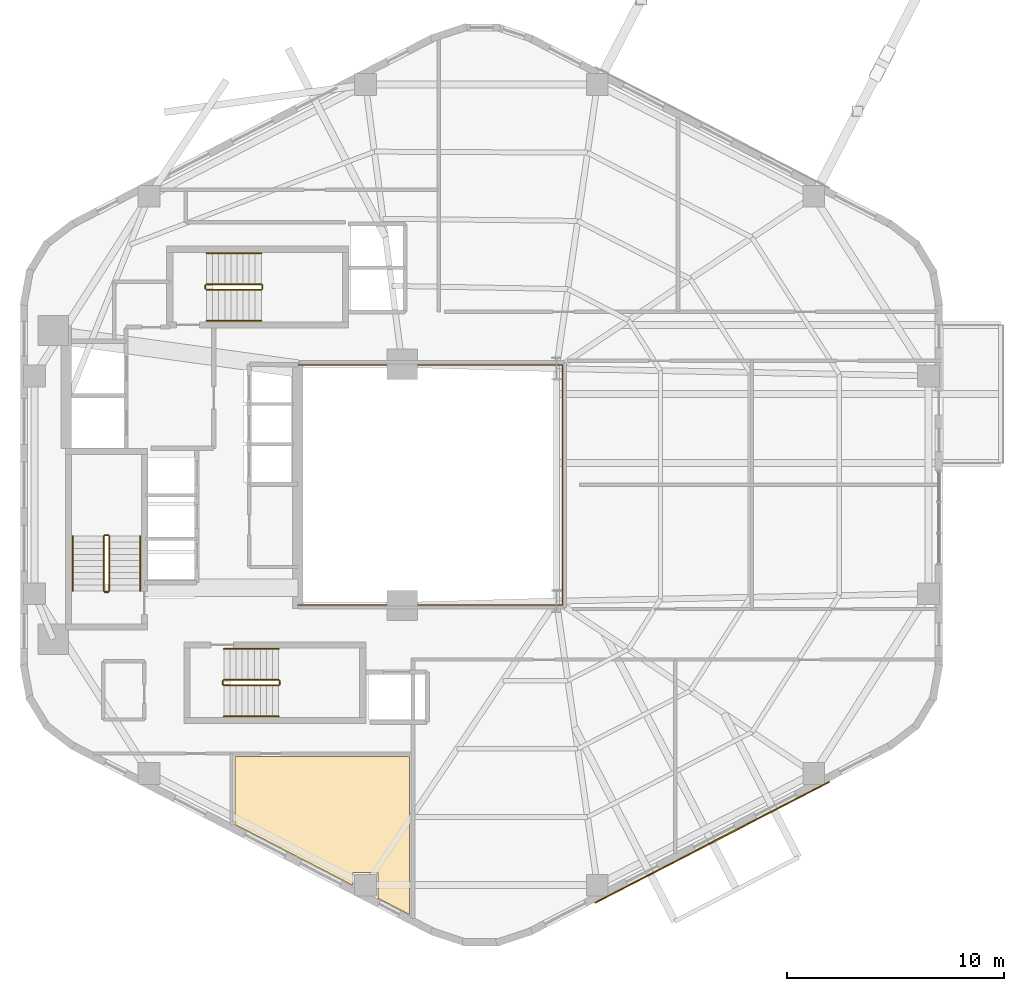
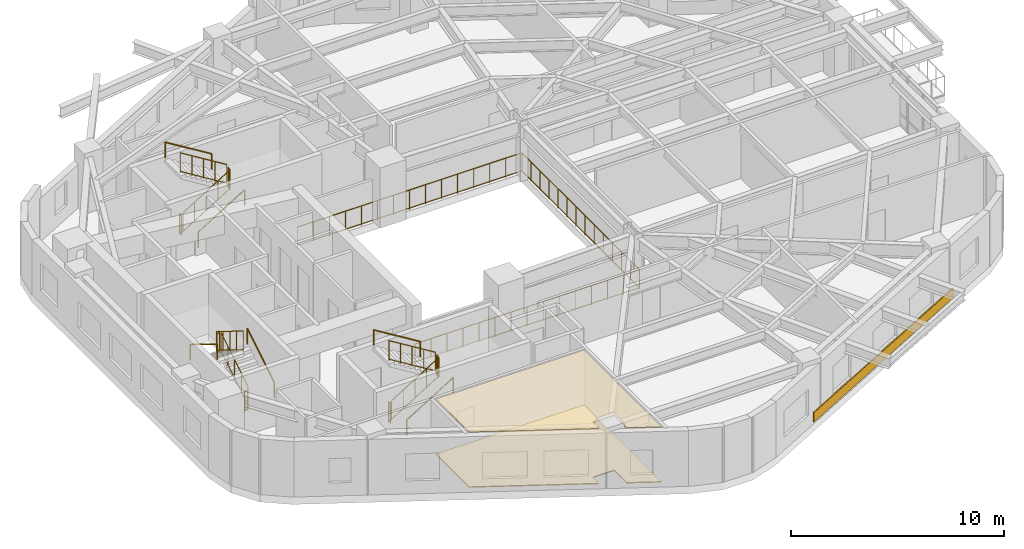
# One storey, part 8 of 9: 19 railings, 3 coverings.
"""IFC4 building model written with IfcOpenShell, lengths in metres."""

import ifcopenshell
import ifcopenshell.guid

model = None  # the IFC model being written
_history = None  # IfcOwnerHistory: only IFC2X3 demands one
_inside = {}  # id of a spatial element -> (the spatial element, [elements in it])
_under = {}  # id of a project, library or spatial element -> (it, [spatial elements below it])
_declared = {}  # id of a project -> (the project, [libraries it declares])
_typed = {}  # id of a type object -> (the type object, [elements of that type])
_made_of = {}  # id of a material, layer set ... -> (it, [elements and type objects made of it])


def new_model(schema):
    """Start an empty IFC model of exactly this schema.

    Asked for "IFC4X3", IfcOpenShell would pick the latest addendum, in which some entities
    have other attributes; the version numbers below select the first issue.
    IFC2X3 requires an IfcOwnerHistory on every rooted entity: one is made here for all.
    """
    global model, _history
    if schema == "IFC4X3":
        model = ifcopenshell.file(schema_version=(4, 3, 0, 0))
    else:
        model = ifcopenshell.file(schema=schema)
    _inside.clear()
    _under.clear()
    _declared.clear()
    _typed.clear()
    _made_of.clear()
    _history = None
    if model.schema == "IFC2X3":
        org = make("IfcOrganization", Name="unknown")
        user = make(
            "IfcPersonAndOrganization",
            ThePerson=make("IfcPerson", FamilyName="unknown"),
            TheOrganization=org,
        )
        app = make(
            "IfcApplication",
            ApplicationDeveloper=org,
            Version="unknown",
            ApplicationFullName="unknown",
            ApplicationIdentifier="unknown",
        )
        _history = make(
            "IfcOwnerHistory",
            OwningUser=user,
            OwningApplication=app,
            ChangeAction="ADDED",
            CreationDate=0,
        )
    return model


def make(cls, **values):
    """One entity of the class cls with the attributes given. An attribute that is None is left unset."""
    return model.create_entity(
        cls, **{name: value for name, value in values.items() if value is not None}
    )


def rooted(cls, **values):
    """An entity with a GlobalId (a new one), such as an element, a storey or a relation."""
    return make(cls, GlobalId=ifcopenshell.guid.new(), OwnerHistory=_history, **values)


def si_unit(unit_type, name, prefix=None):
    """IfcSIUnit, for example si_unit("LENGTHUNIT", "METRE", prefix="MILLI")."""
    return make("IfcSIUnit", UnitType=unit_type, Prefix=prefix, Name=name)


def assignment(units):
    """IfcUnitAssignment: the units of a project."""
    return None if units is None else make("IfcUnitAssignment", Units=units)


def point(xyz):
    """IfcCartesianPoint."""
    return None if xyz is None else make("IfcCartesianPoint", Coordinates=xyz)


def direction(xyz):
    """IfcDirection."""
    return None if xyz is None else make("IfcDirection", DirectionRatios=xyz)


def frame(location, z_axis=None, x_axis=None):
    """IfcAxis2Placement3D, a coordinate frame: its origin and axes. An axis left out is left unset."""
    return make(
        "IfcAxis2Placement3D",
        Location=point(location),
        Axis=direction(z_axis),
        RefDirection=direction(x_axis),
    )


def frame_2d(location, x_axis=None):
    """IfcAxis2Placement2D, a coordinate frame in the plane: its origin and x axis."""
    return make(
        "IfcAxis2Placement2D", Location=point(location), RefDirection=direction(x_axis)
    )


def origin():
    """The frame at (0, 0, 0) with its axes left unset."""
    return frame((0.0, 0.0, 0.0))


def origin_2d():
    """The frame at (0, 0) in the plane with its x axis left unset."""
    return frame_2d((0.0, 0.0))


def place(relative_to, where):
    """IfcLocalPlacement: puts the frame where relative to a parent placement (None: the world)."""
    return make(
        "IfcLocalPlacement", PlacementRelTo=relative_to, RelativePlacement=where
    )


def context(
    kind, dimensions, precision=None, world=None, true_north=None, identifier=None
):
    """IfcGeometricRepresentationContext, for example the 3D "Model" context."""
    return make(
        "IfcGeometricRepresentationContext",
        ContextIdentifier=identifier,
        ContextType=kind,
        CoordinateSpaceDimension=dimensions,
        Precision=precision,
        WorldCoordinateSystem=world,
        TrueNorth=true_north,
    )


def subcontext(parent, identifier, kind, view, scale=None):
    """IfcGeometricRepresentationSubContext, for example "Body" below "Model"."""
    return make(
        "IfcGeometricRepresentationSubContext",
        ContextIdentifier=identifier,
        ContextType=kind,
        ParentContext=parent,
        TargetScale=scale,
        TargetView=view,
    )


def project(units=None, contexts=None):
    """IfcProject with its units and contexts."""
    return rooted(
        "IfcProject",
        Name="project",
        RepresentationContexts=contexts,
        UnitsInContext=assignment(units),
    )


def spatial(cls, under=None, at=None, **own):
    """A site, building, storey or space (cls), placed at a placement, below another one or the project."""
    s = rooted(cls, ObjectPlacement=at, **own)
    if under is not None:
        _under.setdefault(under.id(), (under, []))[1].append(s)
    return s


def polyline(points):
    """IfcPolyline through the points."""
    return make("IfcPolyline", Points=[point(p) for p in points])


def profile(cls, at=None, kind="AREA", **sizes):
    """A parametric profile (cls). Its sizes go by their IFC names, for example OverallWidth=200.0."""
    return make(cls, ProfileType=kind, Position=at, **sizes)


def rectangle(**sizes):
    """IfcRectangleProfileDef."""
    return profile("IfcRectangleProfileDef", **sizes)


def circle(**sizes):
    """IfcCircleProfileDef."""
    return profile("IfcCircleProfileDef", **sizes)


def outline(outer, holes=None, kind="AREA"):
    """IfcArbitraryClosedProfileDef: a profile drawn as a closed curve; with holes, ...WithVoids."""
    if holes is None:
        return make("IfcArbitraryClosedProfileDef", ProfileType=kind, OuterCurve=outer)
    return make(
        "IfcArbitraryProfileDefWithVoids",
        ProfileType=kind,
        OuterCurve=outer,
        InnerCurves=holes,
    )


def extrude(swept, where, along, depth):
    """IfcExtrudedAreaSolid: the profile swept, set in the frame where, extruded along a direction by depth."""
    return make(
        "IfcExtrudedAreaSolid",
        SweptArea=swept,
        Position=where,
        ExtrudedDirection=direction(along),
        Depth=depth,
    )


def shape(context_of_items, identifier, shape_type, items):
    """IfcShapeRepresentation: the items that make up one representation, for example the "Body"."""
    return make(
        "IfcShapeRepresentation",
        ContextOfItems=context_of_items,
        RepresentationIdentifier=identifier,
        RepresentationType=shape_type,
        Items=items,
    )


def material(Name=None, Category=None):
    """IfcMaterial."""
    return make("IfcMaterial", Name=Name, Category=Category)


def layer(
    of_material, thickness, ventilated=None, Name=None, Category=None, Priority=None
):
    """IfcMaterialLayer: one layer of a wall or slab, of a material (None: an air gap)."""
    return make(
        "IfcMaterialLayer",
        Material=of_material,
        LayerThickness=thickness,
        IsVentilated=ventilated,
        Name=Name,
        Category=Category,
        Priority=Priority,
    )


def layer_set(layers, Name=None):
    """IfcMaterialLayerSet."""
    return make("IfcMaterialLayerSet", MaterialLayers=layers, LayerSetName=Name)


def made_of(thing, what):
    """Note that an element or type object is made of a material, layer set ...; save() writes the relation."""
    if what is not None:
        _made_of.setdefault(what.id(), (what, []))[1].append(thing)
    return thing


def type_object(cls, material=None, **own):
    """A type object (cls), such as IfcWallType, which elements share."""
    return made_of(rooted(cls, **own), material)


def element(
    cls,
    number,
    at=None,
    inside=None,
    cuts=None,
    type_object=None,
    material=None,
    context=None,
    identifier="Body",
    shape_type=None,
    held_by="IfcProductDefinitionShape",
    body=None,
    shapes=None,
    **own,
):
    """One element of the class cls, such as IfcWall. Its Tag is "e" and its number.

    at: its placement. inside: the storey or other place that contains it. cuts: it is an
    opening in that element (IfcRelVoidsElement). A single representation is given by context,
    identifier, shape_type and body (its items); several are given by shapes. held_by: the class
    of the entity that holds the representations. save() writes the other relations.
    """
    e = rooted(cls, Tag="e%d" % number, ObjectPlacement=at, **own)
    if body is not None:
        shapes = [shape(context, identifier, shape_type, body)]
    if shapes is not None:
        e.Representation = make(held_by, Representations=shapes)
    if inside is not None:
        _inside.setdefault(inside.id(), (inside, []))[1].append(e)
    if cuts is not None:
        rooted(
            "IfcRelVoidsElement", RelatingBuildingElement=cuts, RelatedOpeningElement=e
        )
    if type_object is not None:
        _typed.setdefault(type_object.id(), (type_object, []))[1].append(e)
    return made_of(e, material)


def aggregate(whole, parts):
    """IfcRelAggregates: a whole, such as a stair, and the parts it consists of."""
    return rooted("IfcRelAggregates", RelatingObject=whole, RelatedObjects=parts)


def save(model, path):
    """Write the relations noted so far, then the file.

    IfcRelAggregates (storeys below a building ...), IfcRelContainedInSpatialStructure (elements
    in a storey), IfcRelDefinesByType, IfcRelAssociatesMaterial and IfcRelDeclares: one each for
    every whole, place, type object, material and project.
    """
    for whole, parts in _under.values():
        aggregate(whole, parts)
    for where, things in _inside.values():
        rooted(
            "IfcRelContainedInSpatialStructure",
            RelatedElements=things,
            RelatingStructure=where,
        )
    for kind, things in _typed.values():
        rooted("IfcRelDefinesByType", RelatedObjects=things, RelatingType=kind)
    for what, things in _made_of.values():
        rooted("IfcRelAssociatesMaterial", RelatedObjects=things, RelatingMaterial=what)
    for by, libraries in _declared.values():
        rooted("IfcRelDeclares", RelatingContext=by, RelatedDefinitions=libraries)
    model.write(path)


model = new_model("IFC4")

# Units and contexts
model_context = context("Model", 3, precision=1e-05, world=origin(), true_north=direction((0.0, 1.0)))
body_context = subcontext(model_context, "Body", "Model", "MODEL_VIEW")
ifc_project = project(units=[si_unit("LENGTHUNIT", "METRE"), si_unit("AREAUNIT", "SQUARE_METRE"), si_unit("VOLUMEUNIT", "CUBIC_METRE"), si_unit("PLANEANGLEUNIT", "RADIAN"), si_unit("MASSUNIT", "GRAM", prefix="KILO"), si_unit("THERMODYNAMICTEMPERATUREUNIT", "KELVIN"), si_unit("POWERUNIT", "WATT")], contexts=[model_context])

# Site, building, storey
site_placement = place(None, origin())
site = spatial("IfcSite", under=ifc_project, at=site_placement, CompositionType="ELEMENT")
building_placement = place(site_placement, origin())
building = spatial("IfcBuilding", under=site, at=building_placement, Name="Skarre Station Tower", CompositionType="ELEMENT")
storey_placement = place(building_placement, frame((0.0, 0.0, 101.550048828125)))
storey = spatial("IfcBuildingStorey", under=building, at=storey_placement, Name="L26", CompositionType="ELEMENT", Elevation=101.550048828125)

# Railing
ifc_material_1 = material(Name="Bronze Anodized Steel & Laminated Glass Balustrade", Category="steel")
railing_type_1 = type_object("IfcRailingType", Name="Atrium Void & Mezzanine Guard Balustrade 1120", PredefinedType="GUARDRAIL", material=ifc_material_1)
railing_1_placement = place(storey_placement, frame((27.550048828125, 18.47998046875, 0.0)))
element("IfcRailing", 1, at=railing_1_placement, inside=storey, type_object=railing_type_1, Name="L26 Atrium Void Guard Balustrade", PredefinedType="GUARDRAIL", context=body_context, shape_type="SweptSolid", body=[
    extrude(circle(Radius=0.02392578125, at=origin_2d()), frame((0.0, 0.0, 1.09619140625), z_axis=(1.0, 0.0, 0.0), x_axis=(0.0, 1.0, 0.0)), (0.0, 0.0, 1.0), 12.169921875),
    extrude(circle(Radius=0.02099609375, at=origin_2d()), frame((0.0, 0.0, 0.06005859375), z_axis=(1.0, 0.0, 0.0), x_axis=(0.0, 1.0, 0.0)), (0.0, 0.0, 1.0), 12.169921875),
    extrude(circle(Radius=0.02392578125, at=origin_2d()), frame((12.169921875, 0.0, 1.09619140625), z_axis=(0.0, 1.0, 0.0), x_axis=(-1.0, 0.0, 0.0)), (0.0, 0.0, 1.0), 11.0400390625),
    extrude(circle(Radius=0.02099609375, at=origin_2d()), frame((12.169921875, 0.0, 0.06005859375), z_axis=(0.0, 1.0, 0.0), x_axis=(-1.0, 0.0, 0.0)), (0.0, 0.0, 1.0), 11.0400390625),
    extrude(circle(Radius=0.02392578125, at=origin_2d()), frame((12.169921875, 11.0400390625, 1.09619140625), z_axis=(-1.0, 0.0, 0.0), x_axis=(0.0, -1.0, 0.0)), (0.0, 0.0, 1.0), 12.169921875),
    extrude(circle(Radius=0.02099609375, at=origin_2d()), frame((12.169921875, 11.0400390625, 0.06005859375), z_axis=(-1.0, 0.0, 0.0), x_axis=(0.0, -1.0, 0.0)), (0.0, 0.0, 1.0), 12.169921875),
    extrude(circle(Radius=0.02099609375, at=origin_2d()), origin(), (0.0, 0.0, 1.0), 1.072021484375),
    extrude(circle(Radius=0.02099609375, at=origin_2d()), frame((0.869384765625, 0.0, 0.0)), (0.0, 0.0, 1.0), 1.072021484375),
    extrude(circle(Radius=0.02099609375, at=origin_2d()), frame((1.738525390625, 0.0, 0.0)), (0.0, 0.0, 1.0), 1.072021484375),
    extrude(circle(Radius=0.02099609375, at=origin_2d()), frame((2.60791015625, 0.0, 0.0)), (0.0, 0.0, 1.0), 1.072021484375),
    extrude(circle(Radius=0.02099609375, at=origin_2d()), frame((3.47705078125, 0.0, 0.0)), (0.0, 0.0, 1.0), 1.072021484375),
    extrude(circle(Radius=0.02099609375, at=origin_2d()), frame((4.346435546875, 0.0, 0.0)), (0.0, 0.0, 1.0), 1.072021484375),
    extrude(circle(Radius=0.02099609375, at=origin_2d()), frame((5.215576171875, 0.0, 0.0)), (0.0, 0.0, 1.0), 1.072021484375),
    extrude(circle(Radius=0.02099609375, at=origin_2d()), frame((6.0849609375, 0.0, 0.0)), (0.0, 0.0, 1.0), 1.072021484375),
    extrude(circle(Radius=0.02099609375, at=origin_2d()), frame((6.954345703125, 0.0, 0.0)), (0.0, 0.0, 1.0), 1.072021484375),
    extrude(circle(Radius=0.02099609375, at=origin_2d()), frame((7.823486328125, 0.0, 0.0)), (0.0, 0.0, 1.0), 1.072021484375),
    extrude(circle(Radius=0.02099609375, at=origin_2d()), frame((8.69287109375, 0.0, 0.0)), (0.0, 0.0, 1.0), 1.072021484375),
    extrude(circle(Radius=0.02099609375, at=origin_2d()), frame((9.56201171875, 0.0, 0.0)), (0.0, 0.0, 1.0), 1.072021484375),
    extrude(circle(Radius=0.02099609375, at=origin_2d()), frame((10.431396484375, 0.0, 0.0)), (0.0, 0.0, 1.0), 1.072021484375),
    extrude(circle(Radius=0.02099609375, at=origin_2d()), frame((11.300537109375, 0.0, 0.0)), (0.0, 0.0, 1.0), 1.072021484375),
    extrude(circle(Radius=0.02099609375, at=origin_2d()), frame((12.169921875, 0.0, 0.0)), (0.0, 0.0, 1.0), 1.072021484375),
    extrude(circle(Radius=0.02099609375, at=origin_2d()), frame((12.169921875, 0.84912109375, 0.0)), (0.0, 0.0, 1.0), 1.072021484375),
    extrude(circle(Radius=0.02099609375, at=origin_2d()), frame((12.169921875, 1.698486328125, 0.0)), (0.0, 0.0, 1.0), 1.072021484375),
    extrude(circle(Radius=0.02099609375, at=origin_2d()), frame((12.169921875, 2.547607421875, 0.0)), (0.0, 0.0, 1.0), 1.072021484375),
    extrude(circle(Radius=0.02099609375, at=origin_2d()), frame((12.169921875, 3.39697265625, 0.0)), (0.0, 0.0, 1.0), 1.072021484375),
    extrude(circle(Radius=0.02099609375, at=origin_2d()), frame((12.169921875, 4.24609375, 0.0)), (0.0, 0.0, 1.0), 1.072021484375),
    extrude(circle(Radius=0.02099609375, at=origin_2d()), frame((12.169921875, 5.095458984375, 0.0)), (0.0, 0.0, 1.0), 1.072021484375),
    extrude(circle(Radius=0.02099609375, at=origin_2d()), frame((12.169921875, 5.944580078125, 0.0)), (0.0, 0.0, 1.0), 1.072021484375),
    extrude(circle(Radius=0.02099609375, at=origin_2d()), frame((12.169921875, 6.7939453125, 0.0)), (0.0, 0.0, 1.0), 1.072021484375),
    extrude(circle(Radius=0.02099609375, at=origin_2d()), frame((12.169921875, 7.64306640625, 0.0)), (0.0, 0.0, 1.0), 1.072021484375),
    extrude(circle(Radius=0.02099609375, at=origin_2d()), frame((12.169921875, 8.492431640625, 0.0)), (0.0, 0.0, 1.0), 1.072021484375),
    extrude(circle(Radius=0.02099609375, at=origin_2d()), frame((12.169921875, 9.341552734375, 0.0)), (0.0, 0.0, 1.0), 1.072021484375),
    extrude(circle(Radius=0.02099609375, at=origin_2d()), frame((12.169921875, 10.19091796875, 0.0)), (0.0, 0.0, 1.0), 1.072021484375),
    extrude(circle(Radius=0.02099609375, at=origin_2d()), frame((12.169921875, 11.0400390625, 0.0)), (0.0, 0.0, 1.0), 1.072021484375),
    extrude(circle(Radius=0.02099609375, at=origin_2d()), frame((11.300537109375, 11.0400390625, 0.0)), (0.0, 0.0, 1.0), 1.072021484375),
    extrude(circle(Radius=0.02099609375, at=origin_2d()), frame((10.431396484375, 11.0400390625, 0.0)), (0.0, 0.0, 1.0), 1.072021484375),
    extrude(circle(Radius=0.02099609375, at=origin_2d()), frame((9.56201171875, 11.0400390625, 0.0)), (0.0, 0.0, 1.0), 1.072021484375),
    extrude(circle(Radius=0.02099609375, at=origin_2d()), frame((8.69287109375, 11.0400390625, 0.0)), (0.0, 0.0, 1.0), 1.072021484375),
    extrude(circle(Radius=0.02099609375, at=origin_2d()), frame((7.823486328125, 11.0400390625, 0.0)), (0.0, 0.0, 1.0), 1.072021484375),
    extrude(circle(Radius=0.02099609375, at=origin_2d()), frame((6.954345703125, 11.0400390625, 0.0)), (0.0, 0.0, 1.0), 1.072021484375),
    extrude(circle(Radius=0.02099609375, at=origin_2d()), frame((6.0849609375, 11.0400390625, 0.0)), (0.0, 0.0, 1.0), 1.072021484375),
    extrude(circle(Radius=0.02099609375, at=origin_2d()), frame((5.215576171875, 11.0400390625, 0.0)), (0.0, 0.0, 1.0), 1.072021484375),
    extrude(circle(Radius=0.02099609375, at=origin_2d()), frame((4.346435546875, 11.0400390625, 0.0)), (0.0, 0.0, 1.0), 1.072021484375),
    extrude(circle(Radius=0.02099609375, at=origin_2d()), frame((3.47705078125, 11.0400390625, 0.0)), (0.0, 0.0, 1.0), 1.072021484375),
    extrude(circle(Radius=0.02099609375, at=origin_2d()), frame((2.60791015625, 11.0400390625, 0.0)), (0.0, 0.0, 1.0), 1.072021484375),
    extrude(circle(Radius=0.02099609375, at=origin_2d()), frame((1.738525390625, 11.0400390625, 0.0)), (0.0, 0.0, 1.0), 1.072021484375),
    extrude(circle(Radius=0.02099609375, at=origin_2d()), frame((0.869384765625, 11.0400390625, 0.0)), (0.0, 0.0, 1.0), 1.072021484375),
    extrude(circle(Radius=0.02099609375, at=origin_2d()), frame((0.0, 11.0400390625, 0.0)), (0.0, 0.0, 1.0), 1.072021484375),
])

# Coverings
ifc_material_2 = material(Name="Honed Jura Limestone & Calcium-Sulfate Access Tile", Category="masonry")
ifc_layer_1 = layer(ifc_material_2, 0.050048828125, Name="Honed Jura Limestone & Calcium-Sulfate Access Tile")
ifc_layer_set_1 = layer_set([ifc_layer_1], Name="Honed Jura Limestone & Calcium-Sulfate Access Tile")
covering_type_1 = type_object("IfcCoveringType", Name="Honed Limestone & Raised Access Floor Finish 50", PredefinedType="FLOORING", material=ifc_layer_set_1)
covering_1_placement = place(storey_placement, origin())
element("IfcCovering", 2, at=covering_1_placement, inside=storey, type_object=covering_type_1, Name="L26 Limestone Access Flooring 1", PredefinedType="FLOORING", context=body_context, shape_type="SweptSolid", body=[
    extrude(outline(polyline([(24.659912109375, 8.3798828125), (30.089111328125, 5.577880859375), (30.089111328125, 6.162109375), (31.2490234375, 6.162109375), (31.2490234375, 5.001953125), (31.205078125, 5.001953125), (32.68994140625, 4.235107421875), (32.68994140625, 11.5), (24.659912109375, 11.5), (24.659912109375, 8.3798828125)])), origin(), (0.0, 0.0, 1.0), 0.050048828125),
])
ifc_material_3 = material(Name="Perforated Nordic Birch Veneer & Mineral Wool", Category="wood")
ifc_layer_2 = layer(ifc_material_3, 0.044921875, Name="Perforated Nordic Birch Veneer & Mineral Wool")
ifc_layer_set_2 = layer_set([ifc_layer_2], Name="Perforated Nordic Birch Veneer & Mineral Wool")
covering_type_2 = type_object("IfcCoveringType", Name="Nordic Birch Slatted Acoustic Suspended Ceiling 45", PredefinedType="CEILING", material=ifc_layer_set_2)
covering_2_placement = place(storey_placement, frame((0.0, 0.0, 3.14501953125)))
element("IfcCovering", 3, at=covering_2_placement, inside=storey, type_object=covering_type_2, Name="L26 Acoustic Birch Ceiling 1", PredefinedType="CEILING", context=body_context, shape_type="SweptSolid", body=[
    extrude(outline(polyline([(24.659912109375, 8.3798828125), (30.089111328125, 5.577880859375), (30.089111328125, 6.162109375), (31.2490234375, 6.162109375), (31.2490234375, 5.001953125), (31.205078125, 5.001953125), (32.68994140625, 4.235107421875), (32.68994140625, 11.5), (24.659912109375, 11.5), (24.659912109375, 8.3798828125)])), origin(), (0.0, 0.0, 1.0), 0.044921875),
])

# Railings
ifc_material_4 = material(Name="Powder-Coated Tubular Steel", Category="steel")
railing_type_2 = type_object("IfcRailingType", Name="Painted Steel Ramp & Stair Handrail 920", PredefinedType="HANDRAIL", material=ifc_material_4)
railing_2_placement = place(storey_placement, frame((20.300048828125, 19.1201171875, 0.17236328125)))
element("IfcRailing", 4, at=railing_2_placement, inside=storey, type_object=railing_type_2, Name="L26 ST-1 stair handrail 1", PredefinedType="HANDRAIL", context=body_context, shape_type="SweptSolid", body=[
    extrude(circle(Radius=0.02392578125, at=origin_2d()), frame((0.0, 0.0, 0.8759765625), z_axis=(0.0, 0.851377800117, 0.52455299205), x_axis=(-1.0, 0.0, 0.0)), (0.0, 0.0, 1.0), 2.959716796875),
    extrude(circle(Radius=0.02099609375, at=origin_2d()), origin(), (0.0, 0.0, 1.0), 0.851806640625),
    extrude(circle(Radius=0.02099609375, at=origin_2d()), frame((0.0, 2.519775390625, 1.552490234375)), (0.0, 0.0, 1.0), 0.851806640625),
])
railing_3_placement = place(storey_placement, frame((17.199951171875, 21.639892578125, 1.8974609375)))
element("IfcRailing", 5, at=railing_3_placement, inside=storey, type_object=railing_type_2, Name="L26 ST-1 stair handrail 2", PredefinedType="HANDRAIL", context=body_context, shape_type="SweptSolid", body=[
    extrude(circle(Radius=0.02392578125, at=origin_2d()), frame((0.0, 0.0, 0.8759765625), z_axis=(0.0, -0.851377800117, 0.52455299205), x_axis=(1.0, 0.0, 0.0)), (0.0, 0.0, 1.0), 2.959716796875),
    extrude(circle(Radius=0.02099609375, at=origin_2d()), origin(), (0.0, 0.0, 1.0), 0.851806640625),
    extrude(circle(Radius=0.02099609375, at=origin_2d()), frame((0.0, -2.519775390625, 1.552490234375)), (0.0, 0.0, 1.0), 0.851806640625),
])
railing_4_placement = place(storey_placement, frame((24.14990234375, 13.35009765625, 0.17236328125)))
element("IfcRailing", 6, at=railing_4_placement, inside=storey, type_object=railing_type_2, Name="L26 ST-2 stair handrail 1", PredefinedType="HANDRAIL", context=body_context, shape_type="SweptSolid", body=[
    extrude(circle(Radius=0.02392578125, at=origin_2d()), frame((0.0, 0.0, 0.8759765625), z_axis=(0.851400495292, 0.0, 0.524516154772), x_axis=(0.0, 1.0, 0.0)), (0.0, 0.0, 1.0), 2.9599609375),
    extrude(circle(Radius=0.02099609375, at=origin_2d()), origin(), (0.0, 0.0, 1.0), 0.851806640625),
    extrude(circle(Radius=0.02099609375, at=origin_2d()), frame((2.52001953125, 0.0, 1.552490234375)), (0.0, 0.0, 1.0), 0.851806640625),
])
railing_5_placement = place(storey_placement, frame((26.669921875, 16.449951171875, 1.8974609375)))
element("IfcRailing", 7, at=railing_5_placement, inside=storey, type_object=railing_type_2, Name="L26 ST-2 stair handrail 2", PredefinedType="HANDRAIL", context=body_context, shape_type="SweptSolid", body=[
    extrude(circle(Radius=0.02392578125, at=origin_2d()), frame((0.0, 0.0, 0.8759765625), z_axis=(-0.851400495292, 0.0, 0.524516154772), x_axis=(0.0, -1.0, 0.0)), (0.0, 0.0, 1.0), 2.9599609375),
    extrude(circle(Radius=0.02099609375, at=origin_2d()), origin(), (0.0, 0.0, 1.0), 0.851806640625),
    extrude(circle(Radius=0.02099609375, at=origin_2d()), frame((-2.52001953125, 0.0, 1.552490234375)), (0.0, 0.0, 1.0), 0.851806640625),
])
railing_6_placement = place(storey_placement, frame((23.35009765625, 31.550048828125, 0.17236328125)))
element("IfcRailing", 8, at=railing_6_placement, inside=storey, type_object=railing_type_2, Name="L26 ST-3 stair handrail 1", PredefinedType="HANDRAIL", context=body_context, shape_type="SweptSolid", body=[
    extrude(circle(Radius=0.02392578125, at=origin_2d()), frame((0.0, 0.0, 0.8759765625), z_axis=(0.851400495292, 0.0, 0.524516154772), x_axis=(0.0, 1.0, 0.0)), (0.0, 0.0, 1.0), 2.9599609375),
    extrude(circle(Radius=0.02099609375, at=origin_2d()), origin(), (0.0, 0.0, 1.0), 0.851806640625),
    extrude(circle(Radius=0.02099609375, at=origin_2d()), frame((2.52001953125, 0.0, 1.552490234375)), (0.0, 0.0, 1.0), 0.851806640625),
])
railing_7_placement = place(storey_placement, frame((25.8701171875, 34.64990234375, 1.8974609375)))
element("IfcRailing", 9, at=railing_7_placement, inside=storey, type_object=railing_type_2, Name="L26 ST-3 stair handrail 2", PredefinedType="HANDRAIL", context=body_context, shape_type="SweptSolid", body=[
    extrude(circle(Radius=0.02392578125, at=origin_2d()), frame((0.0, 0.0, 0.8759765625), z_axis=(-0.851400495292, 0.0, 0.524516154772), x_axis=(0.0, -1.0, 0.0)), (0.0, 0.0, 1.0), 2.9599609375),
    extrude(circle(Radius=0.02099609375, at=origin_2d()), origin(), (0.0, 0.0, 1.0), 0.851806640625),
    extrude(circle(Radius=0.02099609375, at=origin_2d()), frame((-2.52001953125, 0.0, 1.552490234375)), (0.0, 0.0, 1.0), 0.851806640625),
])
railing_type_3 = type_object("IfcRailingType", Name="Painted Steel Stairwell Guardrail 1100", PredefinedType="GUARDRAIL", material=ifc_material_4)
railing_8_placement = place(storey_placement, frame((18.8798828125, 19.1201171875, 0.17236328125)))
element("IfcRailing", 10, at=railing_8_placement, inside=storey, type_object=railing_type_3, Name="L26 ST-1 stair guard 1", PredefinedType="GUARDRAIL", context=body_context, shape_type="SweptSolid", body=[
    extrude(circle(Radius=0.02392578125, at=origin_2d()), frame((0.0, 0.0, 1.1259765625), z_axis=(0.0, 0.851377800117, 0.52455299205), x_axis=(-1.0, 0.0, 0.0)), (0.0, 0.0, 1.0), 2.959716796875),
    extrude(circle(Radius=0.02099609375, at=origin_2d()), frame((0.0, 0.0, 0.06005859375), z_axis=(0.0, 0.851377800117, 0.52455299205), x_axis=(-1.0, 0.0, 0.0)), (0.0, 0.0, 1.0), 2.959716796875),
    extrude(circle(Radius=0.02099609375, at=origin_2d()), origin(), (0.0, 0.0, 1.0), 1.101806640625),
    extrude(circle(Radius=0.02099609375, at=origin_2d()), frame((0.0, 0.6298828125, 0.38818359375)), (0.0, 0.0, 1.0), 1.101806640625),
    extrude(circle(Radius=0.02099609375, at=origin_2d()), frame((0.0, 1.259765625, 0.7763671875)), (0.0, 0.0, 1.0), 1.101806640625),
    extrude(circle(Radius=0.02099609375, at=origin_2d()), frame((0.0, 1.889892578125, 1.164306640625)), (0.0, 0.0, 1.0), 1.101806640625),
    extrude(circle(Radius=0.02099609375, at=origin_2d()), frame((0.0, 2.519775390625, 1.552490234375)), (0.0, 0.0, 1.0), 1.101806640625),
])
railing_9_placement = place(storey_placement, frame((18.830078125, 21.68994140625, 1.724853515625)))
element("IfcRailing", 11, at=railing_9_placement, inside=storey, type_object=railing_type_3, Name="L26 ST-1 stair guard 2", PredefinedType="GUARDRAIL", context=body_context, shape_type="SweptSolid", body=[
    extrude(circle(Radius=0.02392578125, at=origin_2d()), frame((0.0, 0.0, 1.1259765625), z_axis=(-1.0, 0.0, 0.0), x_axis=(0.0, -1.0, 0.0)), (0.0, 0.0, 1.0), 0.16015625),
    extrude(circle(Radius=0.02099609375, at=origin_2d()), frame((0.0, 0.0, 0.06005859375), z_axis=(-1.0, 0.0, 0.0), x_axis=(0.0, -1.0, 0.0)), (0.0, 0.0, 1.0), 0.16015625),
    extrude(circle(Radius=0.02099609375, at=origin_2d()), origin(), (0.0, 0.0, 1.0), 1.101806640625),
    extrude(circle(Radius=0.02099609375, at=origin_2d()), frame((-0.16015625, 0.0, 0.0)), (0.0, 0.0, 1.0), 1.101806640625),
])
railing_10_placement = place(storey_placement, frame((18.6201171875, 21.639892578125, 1.8974609375)))
element("IfcRailing", 12, at=railing_10_placement, inside=storey, type_object=railing_type_3, Name="L26 ST-1 stair guard 3", PredefinedType="GUARDRAIL", context=body_context, shape_type="SweptSolid", body=[
    extrude(circle(Radius=0.02392578125, at=origin_2d()), frame((0.0, 0.0, 1.1259765625), z_axis=(0.0, -0.851377800117, 0.52455299205), x_axis=(1.0, 0.0, 0.0)), (0.0, 0.0, 1.0), 2.959716796875),
    extrude(circle(Radius=0.02099609375, at=origin_2d()), frame((0.0, 0.0, 0.06005859375), z_axis=(0.0, -0.851377800117, 0.52455299205), x_axis=(1.0, 0.0, 0.0)), (0.0, 0.0, 1.0), 2.959716796875),
    extrude(circle(Radius=0.02099609375, at=origin_2d()), origin(), (0.0, 0.0, 1.0), 1.101806640625),
    extrude(circle(Radius=0.02099609375, at=origin_2d()), frame((0.0, -0.6298828125, 0.38818359375)), (0.0, 0.0, 1.0), 1.101806640625),
    extrude(circle(Radius=0.02099609375, at=origin_2d()), frame((0.0, -1.259765625, 0.7763671875)), (0.0, 0.0, 1.0), 1.101806640625),
    extrude(circle(Radius=0.02099609375, at=origin_2d()), frame((0.0, -1.889892578125, 1.164306640625)), (0.0, 0.0, 1.0), 1.101806640625),
    extrude(circle(Radius=0.02099609375, at=origin_2d()), frame((0.0, -2.519775390625, 1.552490234375)), (0.0, 0.0, 1.0), 1.101806640625),
])
railing_11_placement = place(storey_placement, frame((18.830078125, 19.070068359375, 0.0)))
element("IfcRailing", 13, at=railing_11_placement, inside=storey, type_object=railing_type_3, Name="L26 ST-1 stair guard 4", PredefinedType="GUARDRAIL", context=body_context, shape_type="SweptSolid", body=[
    extrude(circle(Radius=0.02392578125, at=origin_2d()), frame((0.0, 0.0, 1.1259765625), z_axis=(-1.0, 0.0, 0.0), x_axis=(0.0, -1.0, 0.0)), (0.0, 0.0, 1.0), 0.16015625),
    extrude(circle(Radius=0.02099609375, at=origin_2d()), frame((0.0, 0.0, 0.06005859375), z_axis=(-1.0, 0.0, 0.0), x_axis=(0.0, -1.0, 0.0)), (0.0, 0.0, 1.0), 0.16015625),
    extrude(circle(Radius=0.02099609375, at=origin_2d()), origin(), (0.0, 0.0, 1.0), 1.101806640625),
    extrude(circle(Radius=0.02099609375, at=origin_2d()), frame((-0.16015625, 0.0, 0.0)), (0.0, 0.0, 1.0), 1.101806640625),
])
railing_12_placement = place(storey_placement, frame((24.14990234375, 14.77001953125, 0.17236328125)))
element("IfcRailing", 14, at=railing_12_placement, inside=storey, type_object=railing_type_3, Name="L26 ST-2 stair guard 1", PredefinedType="GUARDRAIL", context=body_context, shape_type="SweptSolid", body=[
    extrude(circle(Radius=0.02392578125, at=origin_2d()), frame((0.0, 0.0, 1.1259765625), z_axis=(0.851400495292, 0.0, 0.524516154772), x_axis=(0.0, 1.0, 0.0)), (0.0, 0.0, 1.0), 2.9599609375),
    extrude(circle(Radius=0.02099609375, at=origin_2d()), frame((0.0, 0.0, 0.06005859375), z_axis=(0.851400495292, 0.0, 0.524516154772), x_axis=(0.0, 1.0, 0.0)), (0.0, 0.0, 1.0), 2.9599609375),
    extrude(circle(Radius=0.02099609375, at=origin_2d()), origin(), (0.0, 0.0, 1.0), 1.101806640625),
    extrude(circle(Radius=0.02099609375, at=origin_2d()), frame((0.6298828125, 0.0, 0.38818359375)), (0.0, 0.0, 1.0), 1.101806640625),
    extrude(circle(Radius=0.02099609375, at=origin_2d()), frame((1.260009765625, 0.0, 0.7763671875)), (0.0, 0.0, 1.0), 1.101806640625),
    extrude(circle(Radius=0.02099609375, at=origin_2d()), frame((1.89013671875, 0.0, 1.164306640625)), (0.0, 0.0, 1.0), 1.101806640625),
    extrude(circle(Radius=0.02099609375, at=origin_2d()), frame((2.52001953125, 0.0, 1.552490234375)), (0.0, 0.0, 1.0), 1.101806640625),
])
railing_13_placement = place(storey_placement, frame((26.719970703125, 14.820068359375, 1.724853515625)))
element("IfcRailing", 15, at=railing_13_placement, inside=storey, type_object=railing_type_3, Name="L26 ST-2 stair guard 2", PredefinedType="GUARDRAIL", context=body_context, shape_type="SweptSolid", body=[
    extrude(circle(Radius=0.02392578125, at=origin_2d()), frame((0.0, 0.0, 1.1259765625), z_axis=(0.0, 1.0, 0.0), x_axis=(-1.0, 0.0, 0.0)), (0.0, 0.0, 1.0), 0.159912109375),
    extrude(circle(Radius=0.02099609375, at=origin_2d()), frame((0.0, 0.0, 0.06005859375), z_axis=(0.0, 1.0, 0.0), x_axis=(-1.0, 0.0, 0.0)), (0.0, 0.0, 1.0), 0.159912109375),
    extrude(circle(Radius=0.02099609375, at=origin_2d()), origin(), (0.0, 0.0, 1.0), 1.101806640625),
    extrude(circle(Radius=0.02099609375, at=origin_2d()), frame((0.0, 0.159912109375, 0.0)), (0.0, 0.0, 1.0), 1.101806640625),
])
railing_14_placement = place(storey_placement, frame((26.669921875, 15.030029296875, 1.8974609375)))
element("IfcRailing", 16, at=railing_14_placement, inside=storey, type_object=railing_type_3, Name="L26 ST-2 stair guard 3", PredefinedType="GUARDRAIL", context=body_context, shape_type="SweptSolid", body=[
    extrude(circle(Radius=0.02392578125, at=origin_2d()), frame((0.0, 0.0, 1.1259765625), z_axis=(-0.851400495292, 0.0, 0.524516154772), x_axis=(0.0, -1.0, 0.0)), (0.0, 0.0, 1.0), 2.9599609375),
    extrude(circle(Radius=0.02099609375, at=origin_2d()), frame((0.0, 0.0, 0.06005859375), z_axis=(-0.851400495292, 0.0, 0.524516154772), x_axis=(0.0, -1.0, 0.0)), (0.0, 0.0, 1.0), 2.9599609375),
    extrude(circle(Radius=0.02099609375, at=origin_2d()), origin(), (0.0, 0.0, 1.0), 1.101806640625),
    extrude(circle(Radius=0.02099609375, at=origin_2d()), frame((-0.6298828125, 0.0, 0.38818359375)), (0.0, 0.0, 1.0), 1.101806640625),
    extrude(circle(Radius=0.02099609375, at=origin_2d()), frame((-1.260009765625, 0.0, 0.7763671875)), (0.0, 0.0, 1.0), 1.101806640625),
    extrude(circle(Radius=0.02099609375, at=origin_2d()), frame((-1.89013671875, 0.0, 1.164306640625)), (0.0, 0.0, 1.0), 1.101806640625),
    extrude(circle(Radius=0.02099609375, at=origin_2d()), frame((-2.52001953125, 0.0, 1.552490234375)), (0.0, 0.0, 1.0), 1.101806640625),
])
railing_15_placement = place(storey_placement, frame((24.10009765625, 14.820068359375, 0.0)))
element("IfcRailing", 17, at=railing_15_placement, inside=storey, type_object=railing_type_3, Name="L26 ST-2 stair guard 4", PredefinedType="GUARDRAIL", context=body_context, shape_type="SweptSolid", body=[
    extrude(circle(Radius=0.02392578125, at=origin_2d()), frame((0.0, 0.0, 1.1259765625), z_axis=(0.0, 1.0, 0.0), x_axis=(-1.0, 0.0, 0.0)), (0.0, 0.0, 1.0), 0.159912109375),
    extrude(circle(Radius=0.02099609375, at=origin_2d()), frame((0.0, 0.0, 0.06005859375), z_axis=(0.0, 1.0, 0.0), x_axis=(-1.0, 0.0, 0.0)), (0.0, 0.0, 1.0), 0.159912109375),
    extrude(circle(Radius=0.02099609375, at=origin_2d()), origin(), (0.0, 0.0, 1.0), 1.101806640625),
    extrude(circle(Radius=0.02099609375, at=origin_2d()), frame((0.0, 0.159912109375, 0.0)), (0.0, 0.0, 1.0), 1.101806640625),
])
railing_16_placement = place(storey_placement, frame((23.35009765625, 32.969970703125, 0.17236328125)))
element("IfcRailing", 18, at=railing_16_placement, inside=storey, type_object=railing_type_3, Name="L26 ST-3 stair guard 1", PredefinedType="GUARDRAIL", context=body_context, shape_type="SweptSolid", body=[
    extrude(circle(Radius=0.02392578125, at=origin_2d()), frame((0.0, 0.0, 1.1259765625), z_axis=(0.851400495292, 0.0, 0.524516154772), x_axis=(0.0, 1.0, 0.0)), (0.0, 0.0, 1.0), 2.9599609375),
    extrude(circle(Radius=0.02099609375, at=origin_2d()), frame((0.0, 0.0, 0.06005859375), z_axis=(0.851400495292, 0.0, 0.524516154772), x_axis=(0.0, 1.0, 0.0)), (0.0, 0.0, 1.0), 2.9599609375),
    extrude(circle(Radius=0.02099609375, at=origin_2d()), origin(), (0.0, 0.0, 1.0), 1.101806640625),
    extrude(circle(Radius=0.02099609375, at=origin_2d()), frame((0.6298828125, 0.0, 0.38818359375)), (0.0, 0.0, 1.0), 1.101806640625),
    extrude(circle(Radius=0.02099609375, at=origin_2d()), frame((1.260009765625, 0.0, 0.7763671875)), (0.0, 0.0, 1.0), 1.101806640625),
    extrude(circle(Radius=0.02099609375, at=origin_2d()), frame((1.89013671875, 0.0, 1.164306640625)), (0.0, 0.0, 1.0), 1.101806640625),
    extrude(circle(Radius=0.02099609375, at=origin_2d()), frame((2.52001953125, 0.0, 1.552490234375)), (0.0, 0.0, 1.0), 1.101806640625),
])
railing_17_placement = place(storey_placement, frame((25.919921875, 33.02001953125, 1.724853515625)))
element("IfcRailing", 19, at=railing_17_placement, inside=storey, type_object=railing_type_3, Name="L26 ST-3 stair guard 2", PredefinedType="GUARDRAIL", context=body_context, shape_type="SweptSolid", body=[
    extrude(circle(Radius=0.02392578125, at=origin_2d()), frame((0.0, 0.0, 1.1259765625), z_axis=(0.0, 1.0, 0.0), x_axis=(-1.0, 0.0, 0.0)), (0.0, 0.0, 1.0), 0.159912109375),
    extrude(circle(Radius=0.02099609375, at=origin_2d()), frame((0.0, 0.0, 0.06005859375), z_axis=(0.0, 1.0, 0.0), x_axis=(-1.0, 0.0, 0.0)), (0.0, 0.0, 1.0), 0.159912109375),
    extrude(circle(Radius=0.02099609375, at=origin_2d()), origin(), (0.0, 0.0, 1.0), 1.101806640625),
    extrude(circle(Radius=0.02099609375, at=origin_2d()), frame((0.0, 0.159912109375, 0.0)), (0.0, 0.0, 1.0), 1.101806640625),
])
railing_18_placement = place(storey_placement, frame((25.8701171875, 33.22998046875, 1.8974609375)))
element("IfcRailing", 20, at=railing_18_placement, inside=storey, type_object=railing_type_3, Name="L26 ST-3 stair guard 3", PredefinedType="GUARDRAIL", context=body_context, shape_type="SweptSolid", body=[
    extrude(circle(Radius=0.02392578125, at=origin_2d()), frame((0.0, 0.0, 1.1259765625), z_axis=(-0.851400495292, 0.0, 0.524516154772), x_axis=(0.0, -1.0, 0.0)), (0.0, 0.0, 1.0), 2.9599609375),
    extrude(circle(Radius=0.02099609375, at=origin_2d()), frame((0.0, 0.0, 0.06005859375), z_axis=(-0.851400495292, 0.0, 0.524516154772), x_axis=(0.0, -1.0, 0.0)), (0.0, 0.0, 1.0), 2.9599609375),
    extrude(circle(Radius=0.02099609375, at=origin_2d()), origin(), (0.0, 0.0, 1.0), 1.101806640625),
    extrude(circle(Radius=0.02099609375, at=origin_2d()), frame((-0.6298828125, 0.0, 0.38818359375)), (0.0, 0.0, 1.0), 1.101806640625),
    extrude(circle(Radius=0.02099609375, at=origin_2d()), frame((-1.260009765625, 0.0, 0.7763671875)), (0.0, 0.0, 1.0), 1.101806640625),
    extrude(circle(Radius=0.02099609375, at=origin_2d()), frame((-1.89013671875, 0.0, 1.164306640625)), (0.0, 0.0, 1.0), 1.101806640625),
    extrude(circle(Radius=0.02099609375, at=origin_2d()), frame((-2.52001953125, 0.0, 1.552490234375)), (0.0, 0.0, 1.0), 1.101806640625),
])
railing_19_placement = place(storey_placement, frame((23.300048828125, 33.02001953125, 0.0)))
element("IfcRailing", 21, at=railing_19_placement, inside=storey, type_object=railing_type_3, Name="L26 ST-3 stair guard 4", PredefinedType="GUARDRAIL", context=body_context, shape_type="SweptSolid", body=[
    extrude(circle(Radius=0.02392578125, at=origin_2d()), frame((0.0, 0.0, 1.1259765625), z_axis=(0.0, 1.0, 0.0), x_axis=(-1.0, 0.0, 0.0)), (0.0, 0.0, 1.0), 0.159912109375),
    extrude(circle(Radius=0.02099609375, at=origin_2d()), frame((0.0, 0.0, 0.06005859375), z_axis=(0.0, 1.0, 0.0), x_axis=(-1.0, 0.0, 0.0)), (0.0, 0.0, 1.0), 0.159912109375),
    extrude(circle(Radius=0.02099609375, at=origin_2d()), origin(), (0.0, 0.0, 1.0), 1.101806640625),
    extrude(circle(Radius=0.02099609375, at=origin_2d()), frame((0.0, 0.159912109375, 0.0)), (0.0, 0.0, 1.0), 1.101806640625),
])

# Covering
ifc_material_5 = material(Name="Honed Pale Nordic Granite Cladding", Category="masonry")
ifc_layer_3 = layer(ifc_material_5, 0.06005859375, Name="Honed Pale Nordic Granite Cladding")
ifc_layer_set_3 = layer_set([ifc_layer_3], Name="Honed Pale Nordic Granite Cladding")
covering_type_3 = type_object("IfcCoveringType", Name="Precast Pier Spandrel Reveal Cladding 60", PredefinedType="CLADDING", material=ifc_layer_set_3)
covering_3_placement = place(storey_placement, frame((46.6201171875, 7.552978515625, 0.14501953125), z_axis=(0.0, 0.0, 1.0), x_axis=(0.888617232655, 0.458649554484, 0.0)))
element("IfcCovering", 22, at=covering_3_placement, inside=storey, type_object=covering_type_3, Name="L26 Facet 4 Granite Spandrel Cladding", PredefinedType="CLADDING", context=body_context, shape_type="SweptSolid", body=[
    extrude(rectangle(XDim=12.14208984375, YDim=0.06005859375, at=origin_2d()), origin(), (0.0, 0.0, 1.0), 0.550048828125),
])

save(model, "model.ifc")
